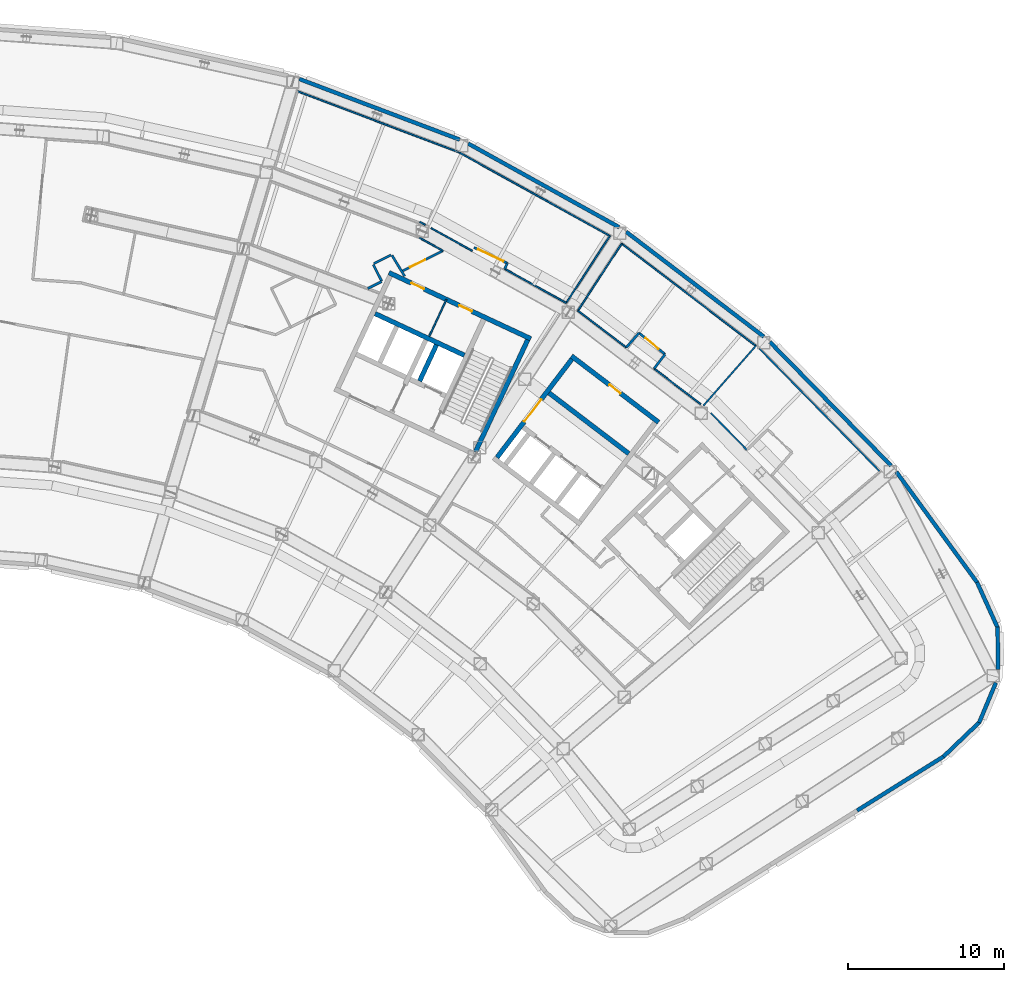
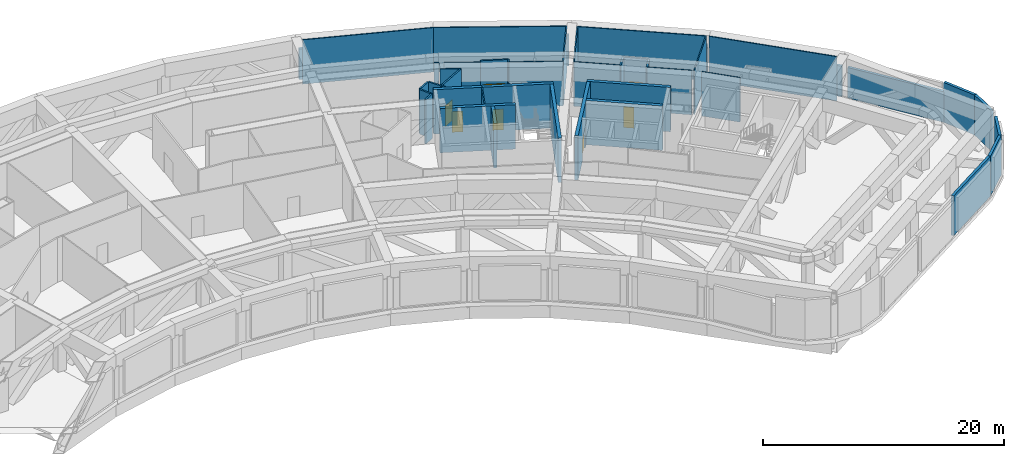
# One storey, part 15 of 30: 42 walls, 7 doors, 7 openings.
"""IFC4 building model written with IfcOpenShell, lengths in metres."""

from ifc_helpers import new_model, si_unit, direction, frame, frame_2d, origin, place, context, subcontext, project, spatial, rectangle, extrude, material, layer, layer_set, type_object, element, fill, save


model = new_model("IFC4")

# Units and contexts
model_context = context("Model", 3, precision=1e-05, world=origin(), true_north=direction((0.0, 1.0)))
body_context = subcontext(model_context, "Body", "Model", "MODEL_VIEW")
ifc_project = project(units=[si_unit("LENGTHUNIT", "METRE"), si_unit("AREAUNIT", "SQUARE_METRE"), si_unit("VOLUMEUNIT", "CUBIC_METRE"), si_unit("PLANEANGLEUNIT", "RADIAN"), si_unit("MASSUNIT", "GRAM", prefix="KILO")], contexts=[model_context])

# Site, building, storey
site_placement = place(None, origin())
site = spatial("IfcSite", under=ifc_project, at=site_placement, CompositionType="ELEMENT")
building_placement = place(site_placement, origin())
building = spatial("IfcBuilding", under=site, at=building_placement, Name="Tuul Gate Civic Tower", CompositionType="ELEMENT")
storey_placement = place(building_placement, frame((0.0, 0.0, 26.699951171875)))
storey = spatial("IfcBuildingStorey", under=building, at=storey_placement, Name="Plant and refuge floor 1", CompositionType="ELEMENT", Elevation=26.699951171875)

# Wall
ifc_material_1 = material(Name="Concrete C50/60", Category="concrete")
ifc_layer_1 = layer(ifc_material_1, 0.300048828125)
ifc_layer_set_1 = layer_set([ifc_layer_1], Name="Concrete C50/60")
wall_type_1 = type_object("IfcWallType", Name="Core wall C50/60", PredefinedType="SHEAR", material=ifc_layer_set_1)
wall_1_placement = place(storey_placement, frame((33.75, -0.873779296875, 0.0), z_axis=(0.0, 0.0, 1.0), x_axis=(-0.906300917592, 0.422632992999, 0.0)))
element("IfcWall", 1, at=wall_1_placement, inside=storey, type_object=wall_type_1, Name="Core wall", PredefinedType="SHEAR", context=body_context, shape_type="SweptSolid", body=[
    extrude(rectangle(XDim=6.300048828125, YDim=0.300048828125, at=frame_2d((3.14990234375, 0.0))), origin(), (0.0, 0.0, 1.0), 4.5),
])

# Wall, openings, doors
wall_2_placement = place(storey_placement, frame((37.993408203125, 0.181884765625, 0.0), z_axis=(0.0, 0.0, 1.0), x_axis=(-0.906310338845, 0.422612789327, 0.0)))
wall_2 = element("IfcWall", 2, at=wall_2_placement, inside=storey, type_object=wall_type_1, Name="Core wall", PredefinedType="SHEAR", context=body_context, shape_type="SweptSolid", body=[
    extrude(rectangle(XDim=9.999755859375, YDim=0.300048828125, at=frame_2d((5.0, 0.0))), origin(), (0.0, 0.0, 1.0), 4.5),
])
opening_1_placement = place(wall_2_placement, frame((4.14990234375, 0.0, 0.0)))
opening_1 = element("IfcOpeningElement", 3, at=opening_1_placement, cuts=wall_2, Name="Opening PA-D29", PredefinedType="OPENING", context=body_context, shape_type="SweptSolid", body=[
    extrude(rectangle(XDim=0.89990234375, YDim=2.10009765625, at=frame_2d((0.449951171875, 1.050048828125))), frame((0.0, 0.16015625, 0.0), z_axis=(0.0, -1.0, 0.0), x_axis=(1.0, 0.0, 0.0)), (0.0, 0.0, 1.0), 0.320068359375),
])
opening_2_placement = place(wall_2_placement, frame((7.52490234375, 0.0, 0.0)))
opening_2 = element("IfcOpeningElement", 4, at=opening_2_placement, cuts=wall_2, Name="Opening PA-D30", PredefinedType="OPENING", context=body_context, shape_type="SweptSolid", body=[
    extrude(rectangle(XDim=0.89990234375, YDim=2.10009765625, at=frame_2d((0.449951171875, 1.050048828125))), frame((0.0, 0.16015625, 0.0), z_axis=(0.0, -1.0, 0.0), x_axis=(1.0, 0.0, 0.0)), (0.0, 0.0, 1.0), 0.320068359375),
])
ifc_material_2 = material(Name="Timber door leaf", Category="wood")
door_type_1 = type_object("IfcDoorType", Name="Door D09", OperationType="NOTDEFINED", PredefinedType="DOOR", material=ifc_material_2)
door_1_placement = place(opening_1_placement, origin())
door_1 = element("IfcDoor", 5, at=door_1_placement, inside=storey, type_object=door_type_1, Name="Door PA-D29", OperationType="SINGLE_SWING_LEFT", OverallHeight=2.10009765625, OverallWidth=0.89990234375, PredefinedType="DOOR", context=body_context, shape_type="SweptSolid", body=[
    extrude(rectangle(XDim=0.89990234375, YDim=2.10009765625, at=frame_2d((0.449951171875, 1.050048828125))), frame((0.0, 0.02490234375, 0.0), z_axis=(0.0, -1.0, 0.0), x_axis=(1.0, 0.0, 0.0)), (0.0, 0.0, 1.0), 0.050048828125),
])
fill(opening_1, door_1)
door_2_placement = place(opening_2_placement, origin())
door_2 = element("IfcDoor", 6, at=door_2_placement, inside=storey, type_object=door_type_1, Name="Door PA-D30", OperationType="SINGLE_SWING_RIGHT", OverallHeight=2.10009765625, OverallWidth=0.89990234375, PredefinedType="DOOR", context=body_context, shape_type="SweptSolid", body=[
    extrude(rectangle(XDim=0.89990234375, YDim=2.10009765625, at=frame_2d((0.449951171875, 1.050048828125))), frame((0.0, 0.02490234375, 0.0), z_axis=(0.0, -1.0, 0.0), x_axis=(1.0, 0.0, 0.0)), (0.0, 0.0, 1.0), 0.050048828125),
])
fill(opening_2, door_2)

# Walls
wall_3_placement = place(storey_placement, frame((34.455810546875, -7.05078125, 0.0), z_axis=(0.0, 0.0, 1.0), x_axis=(0.422570768258, 0.906329932096, 0.0)))
element("IfcWall", 7, at=wall_3_placement, inside=storey, type_object=wall_type_1, Name="Core wall", PredefinedType="SHEAR", context=body_context, shape_type="SweptSolid", body=[
    extrude(rectangle(XDim=7.900146484375, YDim=0.300048828125, at=frame_2d((3.9501953125, 0.0))), origin(), (0.0, 0.0, 1.0), 4.5),
])
wall_4_placement = place(storey_placement, frame((30.886962890625, -2.517822265625, 0.0), z_axis=(0.0, 0.0, 1.0), x_axis=(0.422612891016, 0.906310291427, 0.0)))
element("IfcWall", 8, at=wall_4_placement, inside=storey, type_object=wall_type_1, Name="Core wall", PredefinedType="SHEAR", context=body_context, shape_type="SweptSolid", body=[
    extrude(rectangle(XDim=2.550048828125, YDim=0.300048828125, at=frame_2d((1.27490234375, 0.0))), origin(), (0.0, 0.0, 1.0), 4.5),
])
ifc_material_3 = material(Name="Gypsum board partition")
ifc_layer_2 = layer(ifc_material_3, 0.14990234375)
ifc_layer_set_2 = layer_set([ifc_layer_2], Name="Gypsum board partition")
wall_type_2 = type_object("IfcWallType", Name="Corridor wall P150", PredefinedType="PARTITIONING", material=ifc_layer_set_2)
wall_5_placement = place(storey_placement, frame((45.877197265625, -1.7265625, 0.0), z_axis=(0.0, 0.0, 1.0), x_axis=(0.605603375992, 0.79576664355, 0.0)))
element("IfcWall", 9, at=wall_5_placement, inside=storey, type_object=wall_type_2, Name="p012", PredefinedType="PARTITIONING", context=body_context, shape_type="SweptSolid", body=[
    extrude(rectangle(XDim=1.154296875, YDim=0.14990234375, at=frame_2d((0.5771484375, 0.0))), origin(), (0.0, 0.0, 1.0), 4.5),
])

# Wall, opening, door
wall_6_placement = place(storey_placement, frame((44.913330078125, 0.552978515625, 0.0), z_axis=(0.0, 0.0, 1.0), x_axis=(0.774058574937, -0.633113988605, 0.0)))
wall_6 = element("IfcWall", 10, at=wall_6_placement, inside=storey, type_object=wall_type_2, Name="p013", PredefinedType="PARTITIONING", context=body_context, shape_type="SweptSolid", body=[
    extrude(rectangle(XDim=2.14794921875, YDim=0.14990234375, at=frame_2d((1.073974609375, 0.0))), origin(), (0.0, 0.0, 1.0), 4.5),
])
opening_3_placement = place(wall_6_placement, frame((0.52392578125, 0.0, 0.0)))
opening_3 = element("IfcOpeningElement", 11, at=opening_3_placement, cuts=wall_6, Name="Opening PA-D04", PredefinedType="OPENING", context=body_context, shape_type="SweptSolid", body=[
    extrude(rectangle(XDim=1.10009765625, YDim=2.10009765625, at=frame_2d((0.550048828125, 1.050048828125))), frame((0.0, 0.0849609375, 0.0), z_axis=(0.0, -1.0, 0.0), x_axis=(1.0, 0.0, 0.0)), (0.0, 0.0, 1.0), 0.169921875),
])
ifc_material_4 = material(Name="Timber door leaf", Category="wood")
door_type_2 = type_object("IfcDoorType", Name="Door D11", OperationType="NOTDEFINED", PredefinedType="DOOR", material=ifc_material_4)
door_3_placement = place(opening_3_placement, origin())
door_3 = element("IfcDoor", 12, at=door_3_placement, inside=storey, type_object=door_type_2, Name="Door PA-D04", OperationType="SINGLE_SWING_RIGHT", OverallHeight=2.10009765625, OverallWidth=1.10009765625, PredefinedType="DOOR", context=body_context, shape_type="SweptSolid", body=[
    extrude(rectangle(XDim=1.10009765625, YDim=2.10009765625, at=frame_2d((0.550048828125, 1.050048828125))), frame((0.0, 0.02490234375, 0.0), z_axis=(0.0, -1.0, 0.0), x_axis=(1.0, 0.0, 0.0)), (0.0, 0.0, 1.0), 0.050048828125),
])
fill(opening_3, door_3)

# Walls
wall_7_placement = place(storey_placement, frame((44.09912109375, -0.373046875, 0.0), z_axis=(0.0, 0.0, 1.0), x_axis=(0.659752056817, 0.751483348801, 0.0)))
element("IfcWall", 13, at=wall_7_placement, inside=storey, type_object=wall_type_2, Name="p014", PredefinedType="PARTITIONING", context=body_context, shape_type="SweptSolid", body=[
    extrude(rectangle(XDim=1.232177734375, YDim=0.14990234375, at=frame_2d((0.6162109375, 0.0))), origin(), (0.0, 0.0, 1.0), 4.5),
])
wall_8_placement = place(storey_placement, frame((36.32568359375, 4.64990234375, 0.0), z_axis=(0.0, 0.0, 1.0), x_axis=(0.422584128627, 0.906323702786, 0.0)))
element("IfcWall", 14, at=wall_8_placement, inside=storey, type_object=wall_type_2, Name="p015", PredefinedType="PARTITIONING", context=body_context, shape_type="SweptSolid", body=[
    extrude(rectangle(XDim=0.399169921875, YDim=0.14990234375, at=frame_2d((0.19970703125, 0.0))), origin(), (0.0, 0.0, 1.0), 4.5),
])

# Wall, opening, door
wall_9_placement = place(storey_placement, frame((34.35888671875, 6.021240234375, 0.0), z_axis=(0.0, 0.0, 1.0), x_axis=(0.90407008819, -0.427384224839, 0.0)))
wall_9 = element("IfcWall", 15, at=wall_9_placement, inside=storey, type_object=wall_type_2, Name="p016", PredefinedType="PARTITIONING", context=body_context, shape_type="SweptSolid", body=[
    extrude(rectangle(XDim=2.362060546875, YDim=0.14990234375, at=frame_2d((1.18115234375, 0.0))), origin(), (0.0, 0.0, 1.0), 4.5),
])
opening_4_placement = place(wall_9_placement, frame((0.281005859375, 0.0, 0.0)))
opening_4 = element("IfcOpeningElement", 16, at=opening_4_placement, cuts=wall_9, Name="Opening PA-D052", PredefinedType="OPENING", context=body_context, shape_type="SweptSolid", body=[
    extrude(rectangle(XDim=1.800048828125, YDim=2.10009765625, at=frame_2d((0.89990234375, 1.050048828125))), frame((0.0, 0.0849609375, 0.0), z_axis=(0.0, -1.0, 0.0), x_axis=(1.0, 0.0, 0.0)), (0.0, 0.0, 1.0), 0.169921875),
])
ifc_material_5 = material(Name="Timber door leaf, double", Category="wood")
door_type_3 = type_object("IfcDoorType", Name="Door D18", OperationType="DOUBLE_DOOR_SINGLE_SWING", PredefinedType="DOOR", material=ifc_material_5)
door_4_placement = place(opening_4_placement, origin())
door_4 = element("IfcDoor", 17, at=door_4_placement, inside=storey, type_object=door_type_3, Name="Door PA-D05", OperationType="DOUBLE_DOOR_SINGLE_SWING", OverallHeight=2.10009765625, OverallWidth=1.800048828125, PredefinedType="DOOR", context=body_context, shape_type="SweptSolid", body=[
    extrude(rectangle(XDim=1.800048828125, YDim=2.10009765625, at=frame_2d((0.89990234375, 1.050048828125))), frame((0.0, 0.02490234375, 0.0), z_axis=(0.0, -1.0, 0.0), x_axis=(1.0, 0.0, 0.0)), (0.0, 0.0, 1.0), 0.050048828125),
])
fill(opening_4, door_4)

# Walls
wall_10_placement = place(storey_placement, frame((29.1201171875, 5.515625, 0.0), z_axis=(0.0, 0.0, 1.0), x_axis=(0.518896659924, -0.854836976458, 0.0)))
element("IfcWall", 18, at=wall_10_placement, inside=storey, type_object=wall_type_2, Name="p020", PredefinedType="PARTITIONING", context=body_context, shape_type="SweptSolid", body=[
    extrude(rectangle(XDim=1.56396484375, YDim=0.14990234375, at=frame_2d((0.781982421875, 0.0))), origin(), (0.0, 0.0, 1.0), 4.5),
])
wall_11_placement = place(storey_placement, frame((27.9541015625, 4.9873046875, 0.0), z_axis=(0.0, 0.0, 1.0), x_axis=(0.893909998125, 0.448246489391, 0.0)))
element("IfcWall", 19, at=wall_11_placement, inside=storey, type_object=wall_type_2, Name="p021", PredefinedType="PARTITIONING", context=body_context, shape_type="SweptSolid", body=[
    extrude(rectangle(XDim=1.228759765625, YDim=0.14990234375, at=frame_2d((0.6142578125, 0.0))), origin(), (0.0, 0.0, 1.0), 4.5),
])
wall_12_placement = place(storey_placement, frame((27.931640625, 4.91943359375, 0.0), z_axis=(0.0, 0.0, 1.0), x_axis=(0.448372983383, -0.893846557174, 0.0)))
element("IfcWall", 20, at=wall_12_placement, inside=storey, type_object=wall_type_2, Name="p022", PredefinedType="PARTITIONING", context=body_context, shape_type="SweptSolid", body=[
    extrude(rectangle(XDim=1.178955078125, YDim=0.14990234375, at=frame_2d((0.58935546875, 0.0))), origin(), (0.0, 0.0, 1.0), 4.5),
])
wall_13_placement = place(storey_placement, frame((27.576904296875, 3.399658203125, 0.0), z_axis=(0.0, 0.0, 1.0), x_axis=(0.893877052506, 0.448312184758, 0.0)))
element("IfcWall", 21, at=wall_13_placement, inside=storey, type_object=wall_type_2, Name="p024", PredefinedType="PARTITIONING", context=body_context, shape_type="SweptSolid", body=[
    extrude(rectangle(XDim=0.9775390625, YDim=0.14990234375, at=frame_2d((0.48876953125, 0.0))), origin(), (0.0, 0.0, 1.0), 4.5),
])

# Wall, opening, door
wall_14_placement = place(storey_placement, frame((29.676513671875, 4.452392578125, 0.0), z_axis=(0.0, 0.0, 1.0), x_axis=(0.893893755837, 0.448278878909, 0.0)))
wall_14 = element("IfcWall", 22, at=wall_14_placement, inside=storey, type_object=wall_type_2, Name="p025", PredefinedType="PARTITIONING", context=body_context, shape_type="SweptSolid", body=[
    extrude(rectangle(XDim=3.024169921875, YDim=0.14990234375, at=frame_2d((1.51220703125, 0.0))), origin(), (0.0, 0.0, 1.0), 4.5),
])
opening_5_placement = place(wall_14_placement, frame((0.662109375, 0.0, 0.0)))
opening_5 = element("IfcOpeningElement", 23, at=opening_5_placement, cuts=wall_14, Name="Opening PA-D07", PredefinedType="OPENING", context=body_context, shape_type="SweptSolid", body=[
    extrude(rectangle(XDim=1.10009765625, YDim=2.10009765625, at=frame_2d((0.550048828125, 1.050048828125))), frame((0.0, 0.0849609375, 0.0), z_axis=(0.0, -1.0, 0.0), x_axis=(1.0, 0.0, 0.0)), (0.0, 0.0, 1.0), 0.169921875),
])
door_5_placement = place(opening_5_placement, origin())
door_5 = element("IfcDoor", 24, at=door_5_placement, inside=storey, type_object=door_type_2, Name="Door PA-D07", OperationType="SINGLE_SWING_LEFT", OverallHeight=2.10009765625, OverallWidth=1.10009765625, PredefinedType="DOOR", context=body_context, shape_type="SweptSolid", body=[
    extrude(rectangle(XDim=1.10009765625, YDim=2.10009765625, at=frame_2d((0.550048828125, 1.050048828125))), frame((0.0, 0.02490234375, 0.0), z_axis=(0.0, -1.0, 0.0), x_axis=(1.0, 0.0, 0.0)), (0.0, 0.0, 1.0), 0.050048828125),
])
fill(opening_5, door_5)

# Walls
ifc_material_6 = material(Name="Precast concrete C40/50", Category="concrete")
ifc_layer_3 = layer(ifc_material_6, 0.25)
ifc_layer_set_3 = layer_set([ifc_layer_3], Name="Precast concrete C40/50")
wall_type_3 = type_object("IfcWallType", Name="External wall", PredefinedType="STANDARD", material=ifc_layer_set_3)
wall_15_placement = place(storey_placement, frame((64.36962890625, -26.53076171875, 0.0), z_axis=(0.0, 0.0, 1.0), x_axis=(0.722378510216, 0.69149785826, 0.0)))
element("IfcWall", 25, at=wall_15_placement, inside=storey, type_object=wall_type_3, Name="External wall", PredefinedType="STANDARD", context=body_context, shape_type="SweptSolid", body=[
    extrude(rectangle(XDim=3.201904296875, YDim=0.25, at=frame_2d((1.60107421875, 0.0))), origin(), (0.0, 0.0, 1.0), 4.050048828125),
])
wall_16_placement = place(storey_placement, frame((66.653564453125, -24.35888671875, 0.0), z_axis=(0.0, 0.0, 1.0), x_axis=(0.38572970374, 0.922611833683, 0.0)))
element("IfcWall", 26, at=wall_16_placement, inside=storey, type_object=wall_type_3, Name="External wall", PredefinedType="STANDARD", context=body_context, shape_type="SweptSolid", body=[
    extrude(rectangle(XDim=2.7685546875, YDim=0.25, at=frame_2d((1.38427734375, 0.0))), origin(), (0.0, 0.0, 1.0), 4.050048828125),
])
wall_17_placement = place(storey_placement, frame((67.871826171875, -20.967041015625, 0.0), z_axis=(0.0, 0.0, 1.0), x_axis=(-0.014660653223, 0.999892526848, 0.0)))
element("IfcWall", 27, at=wall_17_placement, inside=storey, type_object=wall_type_3, Name="External wall", PredefinedType="STANDARD", context=body_context, shape_type="SweptSolid", body=[
    extrude(rectangle(XDim=2.71435546875, YDim=0.25, at=frame_2d((1.357177734375, 0.0))), origin(), (0.0, 0.0, 1.0), 4.050048828125),
])
wall_18_placement = place(storey_placement, frame((67.843017578125, -18.302490234375, 0.0), z_axis=(0.0, 0.0, 1.0), x_axis=(-0.412481289983, 0.910966072592, 0.0)))
element("IfcWall", 28, at=wall_18_placement, inside=storey, type_object=wall_type_3, Name="External wall", PredefinedType="STANDARD", context=body_context, shape_type="SweptSolid", body=[
    extrude(rectangle(XDim=3.2021484375, YDim=0.25, at=frame_2d((1.60107421875, 0.0))), origin(), (0.0, 0.0, 1.0), 4.050048828125),
])
wall_19_placement = place(storey_placement, frame((58.8525390625, -29.975341796875, 0.0), z_axis=(0.0, 0.0, 1.0), x_axis=(0.84801510827, 0.529972052232, 0.0)))
element("IfcWall", 29, at=wall_19_placement, inside=storey, type_object=wall_type_3, Name="External wall", PredefinedType="STANDARD", context=body_context, shape_type="SweptSolid", body=[
    extrude(rectangle(XDim=6.529541015625, YDim=0.25, at=frame_2d((3.2646484375, 0.0))), origin(), (0.0, 0.0, 1.0), 4.050048828125),
])
ifc_material_7 = material(Name="Precast concrete C40/50", Category="concrete")
ifc_layer_4 = layer(ifc_material_7, 0.25)
ifc_layer_set_4 = layer_set([ifc_layer_4], Name="Precast concrete C40/50")
wall_type_4 = type_object("IfcWallType", Name="External wall 3100 HIGH", PredefinedType="STANDARD", material=ifc_layer_set_4)
wall_20_placement = place(storey_placement, frame((66.53515625, -15.40771484375, 0.0), z_axis=(0.0, 0.0, 1.0), x_axis=(-0.589856775051, 0.807507885365, 0.0)))
element("IfcWall", 30, at=wall_20_placement, inside=storey, type_object=wall_type_4, Name="External wall", PredefinedType="STANDARD", context=body_context, shape_type="SweptSolid", body=[
    extrude(rectangle(XDim=8.771728515625, YDim=0.25, at=frame_2d((4.3857421875, 0.0))), origin(), (0.0, 0.0, 1.0), 3.10009765625),
])
wall_21_placement = place(storey_placement, frame((61.024169921875, -7.927978515625, 0.0), z_axis=(0.0, 0.0, 1.0), x_axis=(-0.700011409156, 0.714131659466, 0.0)))
element("IfcWall", 31, at=wall_21_placement, inside=storey, type_object=wall_type_4, Name="External wall", PredefinedType="STANDARD", context=body_context, shape_type="SweptSolid", body=[
    extrude(rectangle(XDim=11.065673828125, YDim=0.25, at=frame_2d((5.53271484375, 0.0))), origin(), (0.0, 0.0, 1.0), 3.10009765625),
])
wall_22_placement = place(storey_placement, frame((52.88916015625, 0.318115234375, 0.0), z_axis=(0.0, 0.0, 1.0), x_axis=(-0.795610080094, 0.605809046196, 0.0)))
element("IfcWall", 32, at=wall_22_placement, inside=storey, type_object=wall_type_4, Name="External wall", PredefinedType="STANDARD", context=body_context, shape_type="SweptSolid", body=[
    extrude(rectangle(XDim=11.058349609375, YDim=0.25, at=frame_2d((5.529296875, 0.0))), origin(), (0.0, 0.0, 1.0), 3.10009765625),
])
wall_23_placement = place(storey_placement, frame((43.640380859375, 7.31298828125, 0.0), z_axis=(0.0, 0.0, 1.0), x_axis=(-0.874641231252, 0.484770787686, 0.0)))
element("IfcWall", 33, at=wall_23_placement, inside=storey, type_object=wall_type_4, Name="External wall", PredefinedType="STANDARD", context=body_context, shape_type="SweptSolid", body=[
    extrude(rectangle(XDim=11.03125, YDim=0.25, at=frame_2d((5.515625, 0.0))), origin(), (0.0, 0.0, 1.0), 3.10009765625),
])
wall_24_placement = place(storey_placement, frame((33.452392578125, 12.910888671875, 0.0), z_axis=(0.0, 0.0, 1.0), x_axis=(-0.93536069898, 0.353695296552, 0.0)))
element("IfcWall", 34, at=wall_24_placement, inside=storey, type_object=wall_type_4, Name="External wall", PredefinedType="STANDARD", context=body_context, shape_type="SweptSolid", body=[
    extrude(rectangle(XDim=10.969482421875, YDim=0.25, at=frame_2d((5.48486328125, 0.0))), origin(), (0.0, 0.0, 1.0), 3.10009765625),
])
ifc_material_8 = material(Name="Concrete C40/50", Category="concrete")
ifc_layer_5 = layer(ifc_material_8, 0.300048828125)
ifc_layer_set_5 = layer_set([ifc_layer_5], Name="Concrete C40/50")
wall_type_5 = type_object("IfcWallType", Name="Lift shaft wall C40/50", PredefinedType="STANDARD", material=ifc_layer_set_5)
wall_25_placement = place(storey_placement, frame((44.254638671875, -7.15966796875, 0.0), z_axis=(0.0, 0.0, 1.0), x_axis=(-0.795565675562, 0.605867358312, 0.0)))
element("IfcWall", 35, at=wall_25_placement, inside=storey, type_object=wall_type_5, Name="Shaft wall", PredefinedType="STANDARD", context=body_context, shape_type="SweptSolid", body=[
    extrude(rectangle(XDim=6.400146484375, YDim=0.300048828125, at=frame_2d((3.2001953125, 0.0))), origin(), (0.0, 0.0, 1.0), 4.5),
])

# Wall, opening, door
wall_26_placement = place(storey_placement, frame((46.1591796875, -5.1533203125, 0.0), z_axis=(0.0, 0.0, 1.0), x_axis=(-0.795579811045, 0.605848796531, 0.0)))
wall_26 = element("IfcWall", 36, at=wall_26_placement, inside=storey, type_object=wall_type_5, Name="Shaft wall", PredefinedType="STANDARD", context=body_context, shape_type="SweptSolid", body=[
    extrude(rectangle(XDim=7.0, YDim=0.300048828125, at=frame_2d((3.5, 0.0))), origin(), (0.0, 0.0, 1.0), 4.5),
])
opening_6_placement = place(wall_26_placement, frame((3.050048828125, 0.0, 0.0)))
opening_6 = element("IfcOpeningElement", 37, at=opening_6_placement, cuts=wall_26, Name="Opening PA-D26", PredefinedType="OPENING", context=body_context, shape_type="SweptSolid", body=[
    extrude(rectangle(XDim=0.89990234375, YDim=2.10009765625, at=frame_2d((0.449951171875, 1.050048828125))), frame((0.0, 0.16015625, 0.0), z_axis=(0.0, -1.0, 0.0), x_axis=(1.0, 0.0, 0.0)), (0.0, 0.0, 1.0), 0.320068359375),
])
door_6_placement = place(opening_6_placement, origin())
door_6 = element("IfcDoor", 38, at=door_6_placement, inside=storey, type_object=door_type_1, Name="Door PA-D26", OperationType="SINGLE_SWING_LEFT", OverallHeight=2.10009765625, OverallWidth=0.89990234375, PredefinedType="DOOR", context=body_context, shape_type="SweptSolid", body=[
    extrude(rectangle(XDim=0.89990234375, YDim=2.10009765625, at=frame_2d((0.449951171875, 1.050048828125))), frame((0.0, 0.02490234375, 0.0), z_axis=(0.0, -1.0, 0.0), x_axis=(1.0, 0.0, 0.0)), (0.0, 0.0, 1.0), 0.050048828125),
])
fill(opening_6, door_6)

wall_27_placement = place(storey_placement, frame((35.8330078125, -7.408203125, 0.0), z_axis=(0.0, 0.0, 1.0), x_axis=(0.605769437763, 0.795640237967, 0.0)))
wall_27 = element("IfcWall", 39, at=wall_27_placement, inside=storey, type_object=wall_type_5, Name="Shaft wall", PredefinedType="STANDARD", context=body_context, shape_type="SweptSolid", body=[
    extrude(rectangle(XDim=7.900146484375, YDim=0.300048828125, at=frame_2d((3.9501953125, 0.0))), origin(), (0.0, 0.0, 1.0), 4.5),
])
opening_7_placement = place(wall_27_placement, frame((2.875, 0.0, 0.0)))
opening_7 = element("IfcOpeningElement", 40, at=opening_7_placement, cuts=wall_27, Name="Opening LB-E2-LOBBY-1", PredefinedType="OPENING", context=body_context, shape_type="SweptSolid", body=[
    extrude(rectangle(XDim=1.800048828125, YDim=2.10009765625, at=frame_2d((0.89990234375, 1.050048828125))), frame((0.0, 0.16015625, 0.0), z_axis=(0.0, -1.0, 0.0), x_axis=(1.0, 0.0, 0.0)), (0.0, 0.0, 1.0), 0.320068359375),
])
ifc_material_9 = material(Name="Steel", Category="steel")
door_type_4 = type_object("IfcDoorType", Name="Lobby door", OperationType="DOUBLE_DOOR_SINGLE_SWING", PredefinedType="DOOR", material=ifc_material_9)
door_7_placement = place(opening_7_placement, frame((1.800048828125, 0.0, 0.0), z_axis=(0.0, 0.0, 1.0), x_axis=(-1.0, 0.0, 0.0)))
door_7 = element("IfcDoor", 41, at=door_7_placement, inside=storey, type_object=door_type_4, Name="Lobby door E2-LOBBY", OperationType="DOUBLE_DOOR_SINGLE_SWING", OverallHeight=2.10009765625, OverallWidth=1.800048828125, PredefinedType="DOOR", context=body_context, shape_type="SweptSolid", body=[
    extrude(rectangle(XDim=1.800048828125, YDim=2.10009765625, at=frame_2d((0.900146484375, 1.050048828125))), frame((0.0, 0.02490234375, 0.0), z_axis=(0.0, -1.0, 0.0), x_axis=(1.0, 0.0, 0.0)), (0.0, 0.0, 1.0), 0.050048828125),
])
fill(opening_7, door_7)

# Walls
ifc_material_10 = material(Name="Gypsum board partition")
ifc_layer_6 = layer(ifc_material_10, 0.10009765625)
ifc_layer_set_6 = layer_set([ifc_layer_6], Name="Gypsum board partition")
wall_type_6 = type_object("IfcWallType", Name="Partition P100", PredefinedType="PARTITIONING", material=ifc_layer_set_6)
wall_28_placement = place(storey_placement, frame((49.03369140625, -4.087646484375, 0.0), z_axis=(0.0, 0.0, 1.0), x_axis=(0.659365356949, 0.751822669288, 0.0)))
element("IfcWall", 42, at=wall_28_placement, inside=storey, type_object=wall_type_6, Name="p008", PredefinedType="PARTITIONING", context=body_context, shape_type="SweptSolid", body=[
    extrude(rectangle(XDim=5.077880859375, YDim=0.10009765625, at=frame_2d((2.5390625, 0.0))), origin(), (0.0, 0.0, 1.0), 4.5),
])
wall_29_placement = place(storey_placement, frame((51.81005859375, -6.920166015625, 0.0), z_axis=(0.0, 0.0, 1.0), x_axis=(-0.699994758638, 0.714147980379, 0.0)))
element("IfcWall", 43, at=wall_29_placement, inside=storey, type_object=wall_type_6, Name="p070", PredefinedType="PARTITIONING", context=body_context, shape_type="SweptSolid", body=[
    extrude(rectangle(XDim=3.31201171875, YDim=0.10009765625, at=frame_2d((1.656005859375, 0.0))), origin(), (0.0, 0.0, 1.0), 4.5),
])
wall_30_placement = place(storey_placement, frame((52.57958984375, -0.42041015625, 0.0), z_axis=(0.0, 0.0, 1.0), x_axis=(0.700010996261, -0.714132064197, 0.0)))
element("IfcWall", 44, at=wall_30_placement, inside=storey, type_object=wall_type_6, Name="p071", PredefinedType="PARTITIONING", context=body_context, shape_type="SweptSolid", body=[
    extrude(rectangle(XDim=11.030517578125, YDim=0.10009765625, at=frame_2d((5.51513671875, 0.0))), origin(), (0.0, 0.0, 1.0), 4.5),
])
wall_31_placement = place(storey_placement, frame((48.86083984375, -3.998291015625, 0.0), z_axis=(0.0, 0.0, 1.0), x_axis=(-0.79562745546, 0.605786226418, 0.0)))
element("IfcWall", 45, at=wall_31_placement, inside=storey, type_object=wall_type_6, Name="p074", PredefinedType="PARTITIONING", context=body_context, shape_type="SweptSolid", body=[
    extrude(rectangle(XDim=3.75, YDim=0.10009765625, at=frame_2d((1.875, 0.0))), origin(), (0.0, 0.0, 1.0), 4.5),
])
wall_32_placement = place(storey_placement, frame((44.09912109375, -0.373046875, 0.0), z_axis=(0.0, 0.0, 1.0), x_axis=(-0.795650923759, 0.605755402388, 0.0)))
element("IfcWall", 46, at=wall_32_placement, inside=storey, type_object=wall_type_6, Name="p075", PredefinedType="PARTITIONING", context=body_context, shape_type="SweptSolid", body=[
    extrude(rectangle(XDim=3.88525390625, YDim=0.10009765625, at=frame_2d((1.942626953125, 0.0))), origin(), (0.0, 0.0, 1.0), 4.5),
])
wall_33_placement = place(storey_placement, frame((41.0078125, 1.98046875, 0.0), z_axis=(0.0, 0.0, 1.0), x_axis=(0.546697363807, 0.837330276776, 0.0)))
element("IfcWall", 47, at=wall_33_placement, inside=storey, type_object=wall_type_6, Name="p076", PredefinedType="PARTITIONING", context=body_context, shape_type="SweptSolid", body=[
    extrude(rectangle(XDim=5.11328125, YDim=0.10009765625, at=frame_2d((2.556640625, 0.0))), origin(), (0.0, 0.0, 1.0), 4.5),
])
wall_34_placement = place(storey_placement, frame((43.80322265625, 6.261962890625, 0.0), z_axis=(0.0, 0.0, 1.0), x_axis=(0.795615163237, -0.605802370437, 0.0)))
element("IfcWall", 48, at=wall_34_placement, inside=storey, type_object=wall_type_6, Name="p077", PredefinedType="PARTITIONING", context=body_context, shape_type="SweptSolid", body=[
    extrude(rectangle(XDim=10.782470703125, YDim=0.10009765625, at=frame_2d((5.39111328125, 0.0))), origin(), (0.0, 0.0, 1.0), 4.5),
])
wall_35_placement = place(storey_placement, frame((34.252685546875, 5.799072265625, 0.0), z_axis=(0.0, 0.0, 1.0), x_axis=(-0.874639377657, 0.484774131996, 0.0)))
element("IfcWall", 49, at=wall_35_placement, inside=storey, type_object=wall_type_6, Name="p078", PredefinedType="PARTITIONING", context=body_context, shape_type="SweptSolid", body=[
    extrude(rectangle(XDim=3.007080078125, YDim=0.10009765625, at=frame_2d((1.50341796875, 0.0))), origin(), (0.0, 0.0, 1.0), 4.5),
])
wall_36_placement = place(storey_placement, frame((31.253662109375, 7.46142578125, 0.0), z_axis=(0.0, 0.0, 1.0), x_axis=(-0.874543306316, 0.484947425375, 0.0)))
element("IfcWall", 50, at=wall_36_placement, inside=storey, type_object=wall_type_6, Name="p079", PredefinedType="PARTITIONING", context=body_context, shape_type="SweptSolid", body=[
    extrude(rectangle(XDim=0.417236328125, YDim=0.10009765625, at=frame_2d((0.20849609375, 0.0))), origin(), (0.0, 0.0, 1.0), 4.5),
])
wall_37_placement = place(storey_placement, frame((23.085205078125, 16.0029296875, 0.0), z_axis=(0.0, 0.0, 1.0), x_axis=(0.935358707094, -0.353700564125, 0.0)))
element("IfcWall", 51, at=wall_37_placement, inside=storey, type_object=wall_type_6, Name="p082", PredefinedType="PARTITIONING", context=body_context, shape_type="SweptSolid", body=[
    extrude(rectangle(XDim=11.030029296875, YDim=0.10009765625, at=frame_2d((5.51513671875, 0.0))), origin(), (0.0, 0.0, 1.0), 4.5),
])
wall_38_placement = place(storey_placement, frame((33.40234375, 12.1015625, 0.0), z_axis=(0.0, 0.0, 1.0), x_axis=(0.874620424882, -0.484808325403, 0.0)))
element("IfcWall", 52, at=wall_38_placement, inside=storey, type_object=wall_type_6, Name="p083", PredefinedType="PARTITIONING", context=body_context, shape_type="SweptSolid", body=[
    extrude(rectangle(XDim=11.030517578125, YDim=0.10009765625, at=frame_2d((5.51513671875, 0.0))), origin(), (0.0, 0.0, 1.0), 4.5),
])
wall_39_placement = place(storey_placement, frame((43.0498046875, 6.75390625, 0.0), z_axis=(0.0, 0.0, 1.0), x_axis=(-0.546730838614, -0.837308419944, 0.0)))
element("IfcWall", 53, at=wall_39_placement, inside=storey, type_object=wall_type_6, Name="p084", PredefinedType="PARTITIONING", context=body_context, shape_type="SweptSolid", body=[
    extrude(rectangle(XDim=5.11328125, YDim=0.10009765625, at=frame_2d((2.556640625, 0.0))), origin(), (0.0, 0.0, 1.0), 4.5),
])
wall_40_placement = place(storey_placement, frame((40.254150390625, 2.472412109375, 0.0), z_axis=(0.0, 0.0, 1.0), x_axis=(-0.874628625301, 0.484793531108, 0.0)))
element("IfcWall", 54, at=wall_40_placement, inside=storey, type_object=wall_type_6, Name="p085", PredefinedType="PARTITIONING", context=body_context, shape_type="SweptSolid", body=[
    extrude(rectangle(XDim=4.49169921875, YDim=0.10009765625, at=frame_2d((2.245849609375, 0.0))), origin(), (0.0, 0.0, 1.0), 4.5),
])
wall_41_placement = place(storey_placement, frame((30.874267578125, 6.642578125, 0.0), z_axis=(0.0, 0.0, 1.0), x_axis=(0.874645199619, -0.484763627744, 0.0)))
element("IfcWall", 55, at=wall_41_placement, inside=storey, type_object=wall_type_6, Name="p094", PredefinedType="PARTITIONING", context=body_context, shape_type="SweptSolid", body=[
    extrude(rectangle(XDim=1.721435546875, YDim=0.10009765625, at=frame_2d((0.86083984375, 0.0))), origin(), (0.0, 0.0, 1.0), 4.5),
])
wall_42_placement = place(storey_placement, frame((31.502197265625, 0.33984375, 0.0), z_axis=(0.0, 0.0, 1.0), x_axis=(0.422556439746, 0.906336612539, 0.0)))
element("IfcWall", 56, at=wall_42_placement, inside=storey, type_object=wall_type_6, Name="bE3-BAND-0", PredefinedType="PARTITIONING", context=body_context, shape_type="SweptSolid", body=[
    extrude(rectangle(XDim=2.599853515625, YDim=0.10009765625, at=frame_2d((1.2998046875, 0.0))), origin(), (0.0, 0.0, 1.0), 4.5),
])

save(model, "model.ifc")
